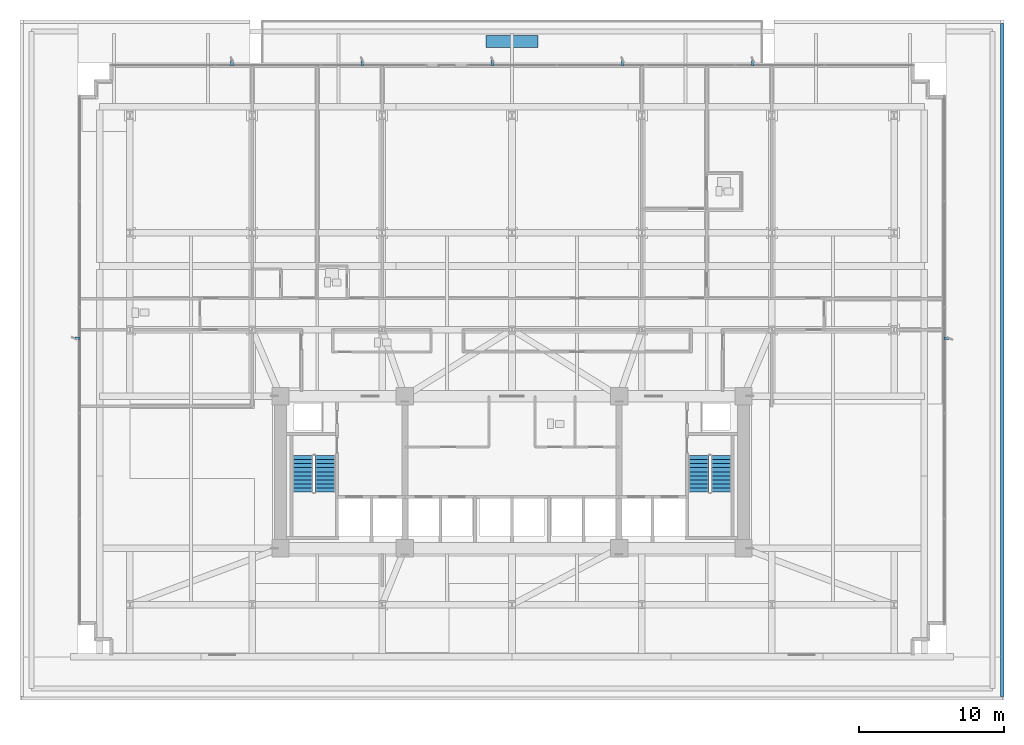
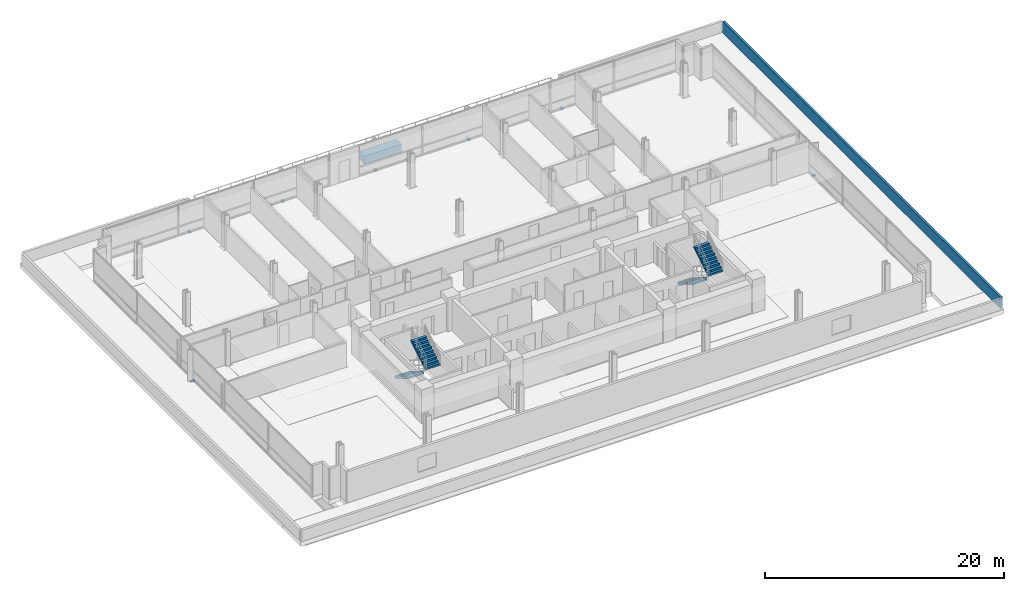
# One storey, part 21 of 25: 8 discrete accessories, 4 stair flights, 1 wall, 2 elements without a shape of their own.
"""IFC4 building model written with IfcOpenShell, lengths in metres."""

from ifc_helpers import new_model, si_unit, direction, frame, frame_2d, origin, origin_2d, place, context, subcontext, project, spatial, polyline, rectangle, outline, extrude, material, layer, layer_set, type_object, element, aggregate, save


model = new_model("IFC4")

# Units and contexts
model_context = context("Model", 3, precision=1e-05, world=origin(), true_north=direction((0.0, 1.0)))
body_context = subcontext(model_context, "Body", "Model", "MODEL_VIEW")
ifc_project = project(units=[si_unit("LENGTHUNIT", "METRE"), si_unit("AREAUNIT", "SQUARE_METRE"), si_unit("VOLUMEUNIT", "CUBIC_METRE"), si_unit("PLANEANGLEUNIT", "RADIAN"), si_unit("MASSUNIT", "GRAM", prefix="KILO")], contexts=[model_context])

# Site, building, storey
site_placement = place(None, origin())
site = spatial("IfcSite", under=ifc_project, at=site_placement, CompositionType="ELEMENT")
building_placement = place(site_placement, origin())
building = spatial("IfcBuilding", under=site, at=building_placement, Name="Solmavex Isthmus Hotel", CompositionType="ELEMENT")
storey_placement = place(building_placement, frame((0.0, 0.0, 26.39990234375)))
storey = spatial("IfcBuildingStorey", under=building, at=storey_placement, Name="L06", CompositionType="ELEMENT", Elevation=26.39990234375)

# Wall
ifc_material_1 = material(Name="Precast Concrete C40/50", Category="concrete")
ifc_layer = layer(ifc_material_1, 0.219970703125)
ifc_layer_set = layer_set([ifc_layer], Name="Precast Concrete C40/50")
wall_type = type_object("IfcWallType", Name="EW-PAR-220", PredefinedType="PARAPET", material=ifc_layer_set)
wall_placement = place(storey_placement, frame((33.8798828125, -23.260009765625, 0.0), z_axis=(0.0, 0.0, 1.0), x_axis=(0.0, 1.0, 0.0)))
element("IfcWall", 1, at=wall_placement, inside=storey, type_object=wall_type, Name="Podium Roof Maintenance Parapet E", PredefinedType="PARAPET", context=body_context, shape_type="SweptSolid", body=[
    extrude(rectangle(XDim=46.52001953125, YDim=0.219970703125, at=frame_2d((23.260009765625, 0.0))), origin(), (0.0, 0.0, 1.0), 1.150146484375),
])

# Stair, stair flights
ifc_material_2 = material(Name="Concrete C40/50", Category="concrete")
stair_type_1 = type_object("IfcStairType", Name="STR-ST-1", PredefinedType="HALF_TURN_STAIR", material=ifc_material_2)
stair_1_placement = place(storey_placement, origin())
stair_1 = element("IfcStair", 2, at=stair_1_placement, inside=storey, type_object=stair_type_1, Name="L06 Protected Exit Stair ST-1", PredefinedType="HALF_TURN_STAIR")
stair_flight_type_1 = type_object("IfcStairFlightType", Name="SFL-ST-1", PredefinedType="STRAIGHT", material=ifc_material_2)
stair_flight_1_placement = place(storey_placement, frame((-14.449951171875, -6.60009765625, 0.0), z_axis=(0.0, 0.0, 1.0), x_axis=(0.0, -1.0, 0.0)))
stair_flight_1 = element("IfcStairFlight", 3, at=stair_flight_1_placement, type_object=stair_flight_type_1, Name="ST-1 flight 1", NumberOfRisers=10, NumberOfTreads=9, PredefinedType="STRAIGHT", RiserHeight=0.1725, TreadLength=0.28, context=body_context, shape_type="SweptSolid", body=[
    extrude(outline(polyline([(0.0, 0.0), (0.0, 0.172607421875), (0.280029296875, 0.172607421875), (0.280029296875, 0.344970703125), (0.56005859375, 0.344970703125), (0.56005859375, 0.517578125), (0.840087890625, 0.517578125), (0.840087890625, 0.68994140625), (1.1201171875, 0.68994140625), (1.1201171875, 0.862548828125), (1.39990234375, 0.862548828125), (1.39990234375, 1.034912109375), (1.679931640625, 1.034912109375), (1.679931640625, 1.20751953125), (1.9599609375, 1.20751953125), (1.9599609375, 1.3798828125), (2.239990234375, 1.3798828125), (2.239990234375, 1.552490234375), (2.52001953125, 1.552490234375), (2.52001953125, 1.72509765625), (2.52001953125, 1.37646484375), (0.285888671875, 0.0), (0.0, 0.0)])), frame((0.0, 0.699951171875, 0.0), z_axis=(0.0, -1.0, 0.0), x_axis=(1.0, 0.0, 0.0)), (0.0, 0.0, 1.0), 1.39990234375),
])
stair_flight_2_placement = place(storey_placement, frame((-12.89990234375, -9.1201171875, 1.72509765625), z_axis=(0.0, 0.0, 1.0), x_axis=(0.0, 1.0, 0.0)))
stair_flight_2 = element("IfcStairFlight", 4, at=stair_flight_2_placement, type_object=stair_flight_type_1, Name="ST-1 flight 2", NumberOfRisers=10, NumberOfTreads=9, PredefinedType="STRAIGHT", RiserHeight=0.1725, TreadLength=0.28, context=body_context, shape_type="SweptSolid", body=[
    extrude(outline(polyline([(0.0, 0.0), (0.0, 0.172607421875), (0.280029296875, 0.172607421875), (0.280029296875, 0.344970703125), (0.56005859375, 0.344970703125), (0.56005859375, 0.517578125), (0.840087890625, 0.517578125), (0.840087890625, 0.68994140625), (1.1201171875, 0.68994140625), (1.1201171875, 0.862548828125), (1.39990234375, 0.862548828125), (1.39990234375, 1.034912109375), (1.679931640625, 1.034912109375), (1.679931640625, 1.20751953125), (1.9599609375, 1.20751953125), (1.9599609375, 1.3798828125), (2.239990234375, 1.3798828125), (2.239990234375, 1.552490234375), (2.52001953125, 1.552490234375), (2.52001953125, 1.72509765625), (2.52001953125, 1.37646484375), (0.285888671875, 0.0), (0.0, 0.0)])), frame((0.0, 0.699951171875, 0.0), z_axis=(0.0, -1.0, 0.0), x_axis=(1.0, 0.0, 0.0)), (0.0, 0.0, 1.0), 1.39990234375),
])
aggregate(stair_1, [stair_flight_1, stair_flight_2])

stair_type_2 = type_object("IfcStairType", Name="STR-ST-2", PredefinedType="HALF_TURN_STAIR", material=ifc_material_2)
stair_2_placement = place(storey_placement, origin())
stair_2 = element("IfcStair", 5, at=stair_2_placement, inside=storey, type_object=stair_type_2, Name="L06 Protected Exit Stair ST-2", PredefinedType="HALF_TURN_STAIR")
stair_flight_type_2 = type_object("IfcStairFlightType", Name="SFL-ST-2", PredefinedType="STRAIGHT", material=ifc_material_2)
stair_flight_3_placement = place(storey_placement, frame((12.89990234375, -6.60009765625, 0.0), z_axis=(0.0, 0.0, 1.0), x_axis=(0.0, -1.0, 0.0)))
stair_flight_3 = element("IfcStairFlight", 6, at=stair_flight_3_placement, type_object=stair_flight_type_2, Name="ST-2 flight 1", NumberOfRisers=10, NumberOfTreads=9, PredefinedType="STRAIGHT", RiserHeight=0.1725, TreadLength=0.28, context=body_context, shape_type="SweptSolid", body=[
    extrude(outline(polyline([(0.0, 0.0), (0.0, 0.172607421875), (0.280029296875, 0.172607421875), (0.280029296875, 0.344970703125), (0.56005859375, 0.344970703125), (0.56005859375, 0.517578125), (0.840087890625, 0.517578125), (0.840087890625, 0.68994140625), (1.1201171875, 0.68994140625), (1.1201171875, 0.862548828125), (1.39990234375, 0.862548828125), (1.39990234375, 1.034912109375), (1.679931640625, 1.034912109375), (1.679931640625, 1.20751953125), (1.9599609375, 1.20751953125), (1.9599609375, 1.3798828125), (2.239990234375, 1.3798828125), (2.239990234375, 1.552490234375), (2.52001953125, 1.552490234375), (2.52001953125, 1.72509765625), (2.52001953125, 1.37646484375), (0.285888671875, 0.0), (0.0, 0.0)])), frame((0.0, 0.699951171875, 0.0), z_axis=(0.0, -1.0, 0.0), x_axis=(1.0, 0.0, 0.0)), (0.0, 0.0, 1.0), 1.39990234375),
])
stair_flight_4_placement = place(storey_placement, frame((14.449951171875, -9.1201171875, 1.72509765625), z_axis=(0.0, 0.0, 1.0), x_axis=(0.0, 1.0, 0.0)))
stair_flight_4 = element("IfcStairFlight", 7, at=stair_flight_4_placement, type_object=stair_flight_type_2, Name="ST-2 flight 2", NumberOfRisers=10, NumberOfTreads=9, PredefinedType="STRAIGHT", RiserHeight=0.1725, TreadLength=0.28, context=body_context, shape_type="SweptSolid", body=[
    extrude(outline(polyline([(0.0, 0.0), (0.0, 0.172607421875), (0.280029296875, 0.172607421875), (0.280029296875, 0.344970703125), (0.56005859375, 0.344970703125), (0.56005859375, 0.517578125), (0.840087890625, 0.517578125), (0.840087890625, 0.68994140625), (1.1201171875, 0.68994140625), (1.1201171875, 0.862548828125), (1.39990234375, 0.862548828125), (1.39990234375, 1.034912109375), (1.679931640625, 1.034912109375), (1.679931640625, 1.20751953125), (1.9599609375, 1.20751953125), (1.9599609375, 1.3798828125), (2.239990234375, 1.3798828125), (2.239990234375, 1.552490234375), (2.52001953125, 1.552490234375), (2.52001953125, 1.72509765625), (2.52001953125, 1.37646484375), (0.285888671875, 0.0), (0.0, 0.0)])), frame((0.0, 0.699951171875, 0.0), z_axis=(0.0, -1.0, 0.0), x_axis=(1.0, 0.0, 0.0)), (0.0, 0.0, 1.0), 1.39990234375),
])
aggregate(stair_2, [stair_flight_3, stair_flight_4])

# Discrete accessories
ifc_material_3 = material(Name="Steel ASTM A572 Grade 50", Category="steel")
discrete_accessory_type_1 = type_object("IfcDiscreteAccessoryType", Name="ACC-BRK-FIN", PredefinedType="BRACKET", material=ifc_material_3)
for number, where, z_axis, x_axis, name in (
    (8, (-19.35009765625, 20.52001953125, -0.169921875), (0.0, 0.0, 1.0), (0.0, 1.0, 0.0), "Facade Fin Support Bracket L06-N1"),
    (9, (-10.35009765625, 20.52001953125, -0.169921875), (0.0, 0.0, 1.0), (0.0, 1.0, 0.0), "Facade Fin Support Bracket L06-N2"),
    (10, (-1.35009765625, 20.52001953125, -0.169921875), (0.0, 0.0, 1.0), (0.0, 1.0, 0.0), "Facade Fin Support Bracket L06-N3"),
    (11, (7.64990234375, 20.52001953125, -0.169921875), (0.0, 0.0, 1.0), (0.0, 1.0, 0.0), "Facade Fin Support Bracket L06-N4"),
    (12, (16.64990234375, 20.52001953125, -0.169921875), (0.0, 0.0, 1.0), (0.0, 1.0, 0.0), "Facade Fin Support Bracket L06-N5"),
    (13, (-30.02001953125, 1.5, -0.169921875), (0.0, 0.0, 1.0), (-1.0, 0.0, 0.0), "Facade Fin Support Bracket L06-W1"),
    (14, (30.02001953125, 1.5, -0.169921875), (0.0, 0.0, 1.0), (1.0, 0.0, 0.0), "Facade Fin Support Bracket L06-E1"),
):
    element("IfcDiscreteAccessory", number, at=place(storey_placement, frame(where, z_axis=z_axis, x_axis=x_axis)), inside=storey, type_object=discrete_accessory_type_1, Name=name, PredefinedType="BRACKET", context=body_context, shape_type="SweptSolid", body=[
        extrude(rectangle(XDim=0.340087890625, YDim=0.179931640625, at=origin_2d()), origin(), (0.0, 0.0, 1.0), 0.159912109375),
    ])
discrete_accessory_type_2 = type_object("IfcDiscreteAccessoryType", Name="ACC-PLN-SG", PredefinedType="USERDEFINED", material=ifc_material_1)
discrete_accessory_placement = place(storey_placement, frame((0.0, 22.010009765625, 0.0), z_axis=(0.0, 0.0, 1.0), x_axis=(1.0, 0.0, 0.0)))
element("IfcDiscreteAccessory", 15, at=discrete_accessory_placement, inside=storey, type_object=discrete_accessory_type_2, Name="Sky-Garden & Terrace Botanical Tree Planter L06-T1", ObjectType="PLANTER", PredefinedType="USERDEFINED", context=body_context, shape_type="SweptSolid", body=[
    extrude(rectangle(XDim=3.60009765625, YDim=0.85009765625, at=origin_2d()), origin(), (0.0, 0.0, 1.0), 0.800048828125),
])

save(model, "model.ifc")
